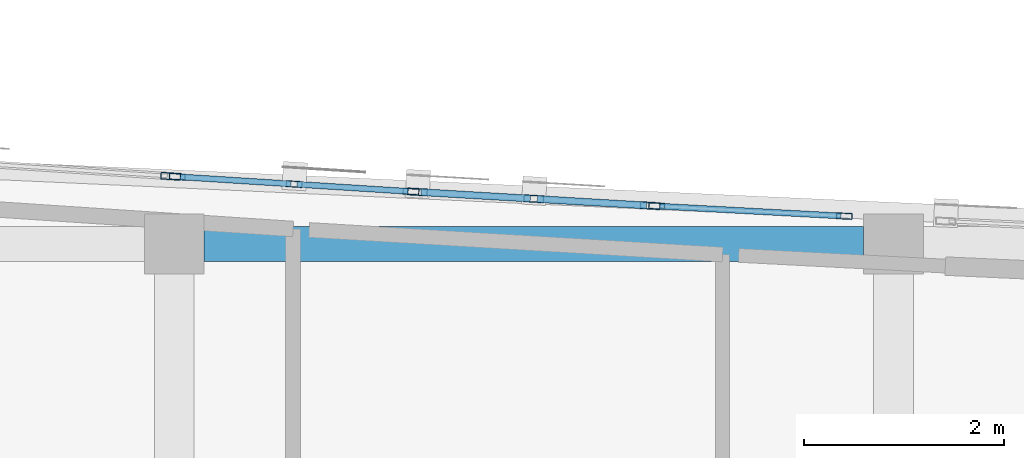
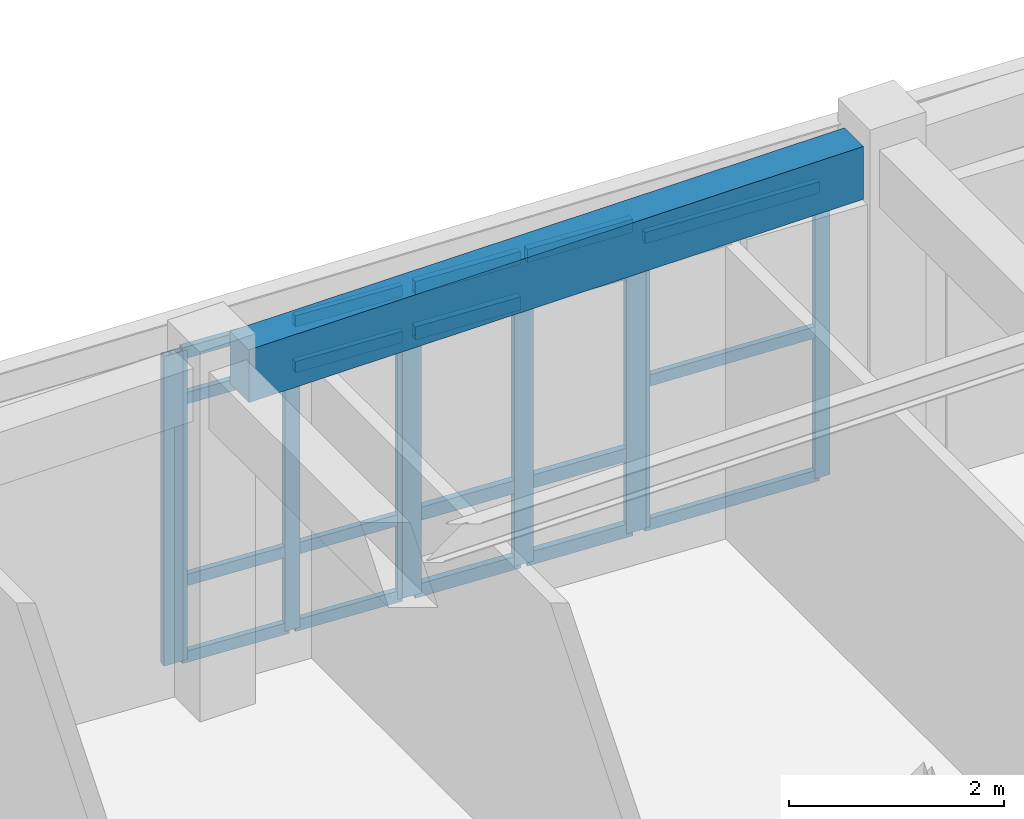
# One storey, part 62 of 113: 28 members, 1 beam, 4 elements without a shape of their own.
"""IFC4 building model written with IfcOpenShell, lengths in metres."""

from ifc_helpers import new_model, si_unit, direction, frame, origin, origin_2d, place, context, subcontext, project, spatial, rectangle, hollow_rectangle, extrude, material, layer, layer_set, material_profile, profile_set, type_object, element, aggregate, save


model = new_model("IFC4")

# Units and contexts
model_context = context("Model", 3, precision=1e-05, world=origin(), true_north=direction((0.0, 1.0)))
body_context = subcontext(model_context, "Body", "Model", "MODEL_VIEW")
ifc_project = project(units=[si_unit("LENGTHUNIT", "METRE"), si_unit("AREAUNIT", "SQUARE_METRE"), si_unit("VOLUMEUNIT", "CUBIC_METRE"), si_unit("PLANEANGLEUNIT", "RADIAN"), si_unit("MASSUNIT", "GRAM", prefix="KILO")], contexts=[model_context])

# Site, building, storey
site_placement = place(None, origin())
site = spatial("IfcSite", under=ifc_project, at=site_placement, CompositionType="ELEMENT")
building_placement = place(site_placement, origin())
building = spatial("IfcBuilding", under=site, at=building_placement, Name="Carrowvane Square Congress Hotel", CompositionType="ELEMENT")
storey_placement = place(building_placement, frame((0.0, 0.0, 15.0)))
storey = spatial("IfcBuildingStorey", under=building, at=storey_placement, Name="L03", CompositionType="ELEMENT", Elevation=15.0)

# Beam
ifc_material_1 = material(Name="Concrete C35/45", Category="concrete")
ifc_material_profile_1 = material_profile(ifc_material_1, rectangle(XDim=0.35009765625, YDim=0.60009765625, at=origin_2d()), Name="RC 350x600")
ifc_profile_set_1 = profile_set([ifc_material_profile_1], Name="Concrete C35/45")
beam_type = type_object("IfcBeamType", Name="BM-RC-350x600", PredefinedType="BEAM", material=ifc_profile_set_1)
beam_placement = place(storey_placement, frame((148.699951171875, 113.39990234375, 3.639892578125), z_axis=(1.0, 0.0, 0.0), x_axis=(0.0, 1.0, 0.0)))
element("IfcBeam", 1, at=beam_placement, inside=storey, type_object=beam_type, Name="L04 girder R/20-21", PredefinedType="BEAM", context=body_context, shape_type="SweptSolid", body=[
    extrude(rectangle(XDim=0.35009765625, YDim=0.60009765625, at=origin_2d()), origin(), (0.0, 0.0, 1.0), 6.60009765625),
])

# Curtain wall, members
ifc_material_2 = material(Name="Anodised aluminium", Category="aluminium")
ifc_layer_1 = layer(ifc_material_2, 0.23388671875)
ifc_layer_set_1 = layer_set([ifc_layer_1], Name="Anodised aluminium")
curtain_wall_type_1 = type_object("IfcCurtainWallType", Name="CW-SYS-7", PredefinedType="NOTDEFINED", material=ifc_layer_set_1)
curtain_wall_1_placement = place(storey_placement, origin())
curtain_wall_1 = element("IfcCurtainWall", 2, at=curtain_wall_1_placement, inside=storey, type_object=curtain_wall_type_1, Name="L03 unitised curtain wall 238", PredefinedType="NOTDEFINED")
ifc_material_3 = material(Name="Anodised aluminium", Category="aluminium")
ifc_material_profile_2 = material_profile(ifc_material_3, hollow_rectangle(XDim=0.06005859375, YDim=0.159912109375, WallThickness=0.00390625, at=origin_2d()), Name="CW-ML 60x160x4")
ifc_profile_set_2 = profile_set([ifc_material_profile_2], Name="Anodised aluminium")
member_type_1 = type_object("IfcMemberType", Name="CW-MUL-1", PredefinedType="MULLION", material=ifc_profile_set_2)
member_1_placement = place(storey_placement, frame((148.429931640625, 114.073486328125, 0.0), z_axis=(0.0, 0.0, 1.0), x_axis=(0.063273487972, 0.997996225303, 0.0)))
member_1 = element("IfcMember", 3, at=member_1_placement, type_object=member_type_1, Name="CW-7 mullion 1", PredefinedType="MULLION", context=body_context, shape_type="SweptSolid", body=[
    extrude(hollow_rectangle(XDim=0.06005859375, YDim=0.159912109375, WallThickness=0.00390625, at=origin_2d()), origin(), (0.0, 0.0, 1.0), 3.515625),
])
member_2_placement = place(storey_placement, frame((149.60009765625, 113.999267578125, 0.0), z_axis=(0.0, 0.0, 1.0), x_axis=(0.063273487972, 0.997996225303, 0.0)))
member_2 = element("IfcMember", 4, at=member_2_placement, type_object=member_type_1, Name="CW-7 mullion 2", PredefinedType="MULLION", context=body_context, shape_type="SweptSolid", body=[
    extrude(hollow_rectangle(XDim=0.06005859375, YDim=0.159912109375, WallThickness=0.00390625, at=origin_2d()), origin(), (0.0, 0.0, 1.0), 3.515625),
])
member_3_placement = place(storey_placement, frame((150.77001953125, 113.925048828125, 0.0), z_axis=(0.0, 0.0, 1.0), x_axis=(0.063273487972, 0.997996225303, 0.0)))
member_3 = element("IfcMember", 5, at=member_3_placement, type_object=member_type_1, Name="CW-7 mullion 3", PredefinedType="MULLION", context=body_context, shape_type="SweptSolid", body=[
    extrude(hollow_rectangle(XDim=0.06005859375, YDim=0.159912109375, WallThickness=0.00390625, at=origin_2d()), origin(), (0.0, 0.0, 1.0), 3.515625),
])

ifc_material_4 = material(Name="Anodised aluminium", Category="aluminium")
ifc_layer_2 = layer(ifc_material_4, 0.162109375)
ifc_layer_set_2 = layer_set([ifc_layer_2], Name="Anodised aluminium")
curtain_wall_type_2 = type_object("IfcCurtainWallType", Name="CW-SYS-1", PredefinedType="NOTDEFINED", material=ifc_layer_set_2)
curtain_wall_2_placement = place(storey_placement, origin())
curtain_wall_2 = element("IfcCurtainWall", 6, at=curtain_wall_2_placement, inside=storey, type_object=curtain_wall_type_2, Name="L03 unitised curtain wall 240", PredefinedType="NOTDEFINED")
member_4_placement = place(storey_placement, frame((153.22998046875, 113.77978515625, 0.0), z_axis=(0.0, 0.0, 1.0), x_axis=(0.053516203185, 0.998566981227, 0.0)))
member_4 = element("IfcMember", 7, at=member_4_placement, type_object=member_type_1, Name="CW-1 mullion 1", PredefinedType="MULLION", context=body_context, shape_type="SweptSolid", body=[
    extrude(hollow_rectangle(XDim=0.06005859375, YDim=0.159912109375, WallThickness=0.00390625, at=origin_2d()), origin(), (0.0, 0.0, 1.0), 3.324951171875),
])
member_5_placement = place(storey_placement, frame((155.10693359375, 113.67919921875, 0.0), z_axis=(0.0, 0.0, 1.0), x_axis=(0.053516203185, 0.998566981227, 0.0)))
member_5 = element("IfcMember", 8, at=member_5_placement, type_object=member_type_1, Name="CW-1 mullion 2", PredefinedType="MULLION", context=body_context, shape_type="SweptSolid", body=[
    extrude(hollow_rectangle(XDim=0.06005859375, YDim=0.159912109375, WallThickness=0.00390625, at=origin_2d()), origin(), (0.0, 0.0, 1.0), 3.324951171875),
])

# Curtain wall, member
ifc_material_5 = material(Name="Anodised aluminium", Category="aluminium")
ifc_layer_3 = layer(ifc_material_5, 0.221923828125)
ifc_layer_set_3 = layer_set([ifc_layer_3], Name="Anodised aluminium")
curtain_wall_type_3 = type_object("IfcCurtainWallType", Name="CW-SYS-6", PredefinedType="NOTDEFINED", material=ifc_layer_set_3)
curtain_wall_3_placement = place(storey_placement, origin())
curtain_wall_3 = element("IfcCurtainWall", 9, at=curtain_wall_3_placement, inside=storey, type_object=curtain_wall_type_3, Name="L03 unitised curtain wall 237", PredefinedType="NOTDEFINED")
ifc_material_6 = material(Name="Anodised aluminium", Category="aluminium")
ifc_material_profile_3 = material_profile(ifc_material_6, hollow_rectangle(XDim=0.070068359375, YDim=0.199951171875, WallThickness=0.0048828125, at=origin_2d()), Name="CW-ML 70x200x5")
ifc_profile_set_3 = profile_set([ifc_material_profile_3], Name="Anodised aluminium")
member_type_2 = type_object("IfcMemberType", Name="CW-MUL-2", PredefinedType="MULLION", material=ifc_profile_set_3)
member_6_placement = place(storey_placement, frame((148.364990234375, 114.07763671875, 0.0), z_axis=(0.0, 0.0, 1.0), x_axis=(0.06657392244, 0.997781495544, 0.0)))
member_6 = element("IfcMember", 10, at=member_6_placement, type_object=member_type_2, Name="CW-6 mullion 2", PredefinedType="MULLION", context=body_context, shape_type="SweptSolid", body=[
    extrude(hollow_rectangle(XDim=0.070068359375, YDim=0.199951171875, WallThickness=0.0048828125, at=origin_2d()), origin(), (0.0, 0.0, 1.0), 3.515625),
])
aggregate(curtain_wall_3, [member_6])

# Curtain wall, members
ifc_material_7 = material(Name="Anodised aluminium", Category="aluminium")
ifc_layer_4 = layer(ifc_material_7, 0.24609375)
ifc_layer_set_4 = layer_set([ifc_layer_4], Name="Anodised aluminium")
curtain_wall_type_4 = type_object("IfcCurtainWallType", Name="CW-SYS-8", PredefinedType="NOTDEFINED", material=ifc_layer_set_4)
curtain_wall_4_placement = place(storey_placement, origin())
curtain_wall_4 = element("IfcCurtainWall", 11, at=curtain_wall_4_placement, inside=storey, type_object=curtain_wall_type_4, Name="L03 unitised curtain wall 239", PredefinedType="NOTDEFINED")
member_7_placement = place(storey_placement, frame((150.8349609375, 113.921142578125, 0.0), z_axis=(0.0, 0.0, 1.0), x_axis=(0.058988522254, 0.99825866099, 0.0)))
member_7 = element("IfcMember", 12, at=member_7_placement, type_object=member_type_2, Name="CW-8 mullion 1", PredefinedType="MULLION", context=body_context, shape_type="SweptSolid", body=[
    extrude(hollow_rectangle(XDim=0.070068359375, YDim=0.199951171875, WallThickness=0.0048828125, at=origin_2d()), origin(), (0.0, 0.0, 1.0), 3.515625),
])
member_8_placement = place(storey_placement, frame((152.0, 113.852294921875, 0.0), z_axis=(0.0, 0.0, 1.0), x_axis=(0.058988522254, 0.99825866099, 0.0)))
member_8 = element("IfcMember", 13, at=member_8_placement, type_object=member_type_2, Name="CW-8 mullion 2", PredefinedType="MULLION", context=body_context, shape_type="SweptSolid", body=[
    extrude(hollow_rectangle(XDim=0.070068359375, YDim=0.199951171875, WallThickness=0.0048828125, at=origin_2d()), origin(), (0.0, 0.0, 1.0), 3.515625),
])
member_9_placement = place(storey_placement, frame((153.1650390625, 113.783447265625, 0.0), z_axis=(0.0, 0.0, 1.0), x_axis=(0.058988522254, 0.99825866099, 0.0)))
member_9 = element("IfcMember", 14, at=member_9_placement, type_object=member_type_2, Name="CW-8 mullion 3", PredefinedType="MULLION", context=body_context, shape_type="SweptSolid", body=[
    extrude(hollow_rectangle(XDim=0.070068359375, YDim=0.199951171875, WallThickness=0.0048828125, at=origin_2d()), origin(), (0.0, 0.0, 1.0), 3.515625),
])

# Member
ifc_material_8 = material(Name="Anodised aluminium", Category="aluminium")
ifc_material_profile_4 = material_profile(ifc_material_8, hollow_rectangle(XDim=0.06005859375, YDim=0.1298828125, WallThickness=0.00390625, at=origin_2d()), Name="CW-TR 60x130x4")
ifc_profile_set_4 = profile_set([ifc_material_profile_4], Name="Anodised aluminium")
member_type_3 = type_object("IfcMemberType", Name="CW-TRN-1", PredefinedType="USERDEFINED", material=ifc_profile_set_4)
member_10_placement = place(storey_placement, frame((148.4599609375, 114.071533203125, 0.030029296875), z_axis=(0.99800013466, -0.063211796521, 0.0), x_axis=(0.063211796521, 0.99800013466, 0.0)))
member_10 = element("IfcMember", 15, at=member_10_placement, type_object=member_type_3, Name="CW-7 transom 1.1", ObjectType="TRANSOM", PredefinedType="USERDEFINED", context=body_context, shape_type="SweptSolid", body=[
    extrude(hollow_rectangle(XDim=0.06005859375, YDim=0.1298828125, WallThickness=0.00390625, at=origin_2d()), origin(), (0.0, 0.0, 1.0), 1.1123046875),
])

member_11_placement = place(storey_placement, frame((148.4599609375, 114.071533203125, 0.89990234375), z_axis=(0.99800013466, -0.063211796521, 0.0), x_axis=(0.063211796521, 0.99800013466, 0.0)))
member_11 = element("IfcMember", 16, at=member_11_placement, type_object=member_type_3, Name="CW-7 transom 1.2", ObjectType="TRANSOM", PredefinedType="USERDEFINED", context=body_context, shape_type="SweptSolid", body=[
    extrude(hollow_rectangle(XDim=0.06005859375, YDim=0.1298828125, WallThickness=0.00390625, at=origin_2d()), origin(), (0.0, 0.0, 1.0), 1.1123046875),
])

member_12_placement = place(storey_placement, frame((148.4599609375, 114.071533203125, 2.965576171875), z_axis=(0.99800013466, -0.063211796521, 0.0), x_axis=(0.063211796521, 0.99800013466, 0.0)))
member_12 = element("IfcMember", 17, at=member_12_placement, type_object=member_type_3, Name="CW-7 transom 1.3", ObjectType="TRANSOM", PredefinedType="USERDEFINED", context=body_context, shape_type="SweptSolid", body=[
    extrude(hollow_rectangle(XDim=0.06005859375, YDim=0.1298828125, WallThickness=0.00390625, at=origin_2d()), origin(), (0.0, 0.0, 1.0), 1.1123046875),
])

member_13_placement = place(storey_placement, frame((148.4599609375, 114.071533203125, 3.485595703125), z_axis=(0.99800013466, -0.063211796521, 0.0), x_axis=(0.063211796521, 0.99800013466, 0.0)))
member_13 = element("IfcMember", 18, at=member_13_placement, type_object=member_type_3, Name="CW-7 transom 1.4", ObjectType="TRANSOM", PredefinedType="USERDEFINED", context=body_context, shape_type="SweptSolid", body=[
    extrude(hollow_rectangle(XDim=0.06005859375, YDim=0.1298828125, WallThickness=0.00390625, at=origin_2d()), origin(), (0.0, 0.0, 1.0), 1.1123046875),
])

member_14_placement = place(storey_placement, frame((149.6298828125, 113.997314453125, 0.030029296875), z_axis=(0.99800013466, -0.063211796521, 0.0), x_axis=(0.063211796521, 0.99800013466, 0.0)))
member_14 = element("IfcMember", 19, at=member_14_placement, type_object=member_type_3, Name="CW-7 transom 2.1", ObjectType="TRANSOM", PredefinedType="USERDEFINED", context=body_context, shape_type="SweptSolid", body=[
    extrude(hollow_rectangle(XDim=0.06005859375, YDim=0.1298828125, WallThickness=0.00390625, at=origin_2d()), origin(), (0.0, 0.0, 1.0), 1.1123046875),
])

member_15_placement = place(storey_placement, frame((149.6298828125, 113.997314453125, 0.89990234375), z_axis=(0.99800013466, -0.063211796521, 0.0), x_axis=(0.063211796521, 0.99800013466, 0.0)))
member_15 = element("IfcMember", 20, at=member_15_placement, type_object=member_type_3, Name="CW-7 transom 2.2", ObjectType="TRANSOM", PredefinedType="USERDEFINED", context=body_context, shape_type="SweptSolid", body=[
    extrude(hollow_rectangle(XDim=0.06005859375, YDim=0.1298828125, WallThickness=0.00390625, at=origin_2d()), origin(), (0.0, 0.0, 1.0), 1.1123046875),
])

member_16_placement = place(storey_placement, frame((149.6298828125, 113.997314453125, 2.965576171875), z_axis=(0.99800013466, -0.063211796521, 0.0), x_axis=(0.063211796521, 0.99800013466, 0.0)))
member_16 = element("IfcMember", 21, at=member_16_placement, type_object=member_type_3, Name="CW-7 transom 2.3", ObjectType="TRANSOM", PredefinedType="USERDEFINED", context=body_context, shape_type="SweptSolid", body=[
    extrude(hollow_rectangle(XDim=0.06005859375, YDim=0.1298828125, WallThickness=0.00390625, at=origin_2d()), origin(), (0.0, 0.0, 1.0), 1.1123046875),
])

member_17_placement = place(storey_placement, frame((149.6298828125, 113.997314453125, 3.485595703125), z_axis=(0.99800013466, -0.063211796521, 0.0), x_axis=(0.063211796521, 0.99800013466, 0.0)))
member_17 = element("IfcMember", 22, at=member_17_placement, type_object=member_type_3, Name="CW-7 transom 2.4", ObjectType="TRANSOM", PredefinedType="USERDEFINED", context=body_context, shape_type="SweptSolid", body=[
    extrude(hollow_rectangle(XDim=0.06005859375, YDim=0.1298828125, WallThickness=0.00390625, at=origin_2d()), origin(), (0.0, 0.0, 1.0), 1.1123046875),
])

aggregate(curtain_wall_1, [member_1, member_2, member_3, member_10, member_11, member_12, member_13, member_14, member_15, member_16, member_17])

member_18_placement = place(storey_placement, frame((153.260009765625, 113.778076171875, 0.030029296875), z_axis=(0.998565827462, -0.053537727111, 0.0), x_axis=(0.053537727111, 0.998565827462, 0.0)))
member_18 = element("IfcMember", 23, at=member_18_placement, type_object=member_type_3, Name="CW-1 transom 1.1", ObjectType="TRANSOM", PredefinedType="USERDEFINED", context=body_context, shape_type="SweptSolid", body=[
    extrude(hollow_rectangle(XDim=0.06005859375, YDim=0.1298828125, WallThickness=0.00390625, at=origin_2d()), origin(), (0.0, 0.0, 1.0), 1.819580078125),
])

member_19_placement = place(storey_placement, frame((153.260009765625, 113.778076171875, 1.66259765625), z_axis=(0.998565827462, -0.053537727111, 0.0), x_axis=(0.053537727111, 0.998565827462, 0.0)))
member_19 = element("IfcMember", 24, at=member_19_placement, type_object=member_type_3, Name="CW-1 transom 1.2", ObjectType="TRANSOM", PredefinedType="USERDEFINED", context=body_context, shape_type="SweptSolid", body=[
    extrude(hollow_rectangle(XDim=0.06005859375, YDim=0.1298828125, WallThickness=0.00390625, at=origin_2d()), origin(), (0.0, 0.0, 1.0), 1.819580078125),
])

member_20_placement = place(storey_placement, frame((153.260009765625, 113.778076171875, 3.294921875), z_axis=(0.998565827462, -0.053537727111, 0.0), x_axis=(0.053537727111, 0.998565827462, 0.0)))
member_20 = element("IfcMember", 25, at=member_20_placement, type_object=member_type_3, Name="CW-1 transom 1.3", ObjectType="TRANSOM", PredefinedType="USERDEFINED", context=body_context, shape_type="SweptSolid", body=[
    extrude(hollow_rectangle(XDim=0.06005859375, YDim=0.1298828125, WallThickness=0.00390625, at=origin_2d()), origin(), (0.0, 0.0, 1.0), 1.819580078125),
])

aggregate(curtain_wall_2, [member_4, member_5, member_18, member_19, member_20])

ifc_material_9 = material(Name="Anodised aluminium", Category="aluminium")
ifc_material_profile_5 = material_profile(ifc_material_9, hollow_rectangle(XDim=0.070068359375, YDim=0.14990234375, WallThickness=0.0048828125, at=origin_2d()), Name="CW-TR 70x150x5")
ifc_profile_set_5 = profile_set([ifc_material_profile_5], Name="Anodised aluminium")
member_type_4 = type_object("IfcMemberType", Name="CW-TRN-2", PredefinedType="USERDEFINED", material=ifc_profile_set_5)
member_21_placement = place(storey_placement, frame((150.869873046875, 113.9189453125, 0.034912109375), z_axis=(0.998259762999, -0.058969870084, 0.0), x_axis=(0.058969870084, 0.998259762999, 0.0)))
member_21 = element("IfcMember", 26, at=member_21_placement, type_object=member_type_4, Name="CW-8 transom 1.1", ObjectType="TRANSOM", PredefinedType="USERDEFINED", context=body_context, shape_type="SweptSolid", body=[
    extrude(hollow_rectangle(XDim=0.070068359375, YDim=0.14990234375, WallThickness=0.0048828125, at=origin_2d()), origin(), (0.0, 0.0, 1.0), 1.09716796875),
])

member_22_placement = place(storey_placement, frame((150.869873046875, 113.9189453125, 0.89990234375), z_axis=(0.998259762999, -0.058969870084, 0.0), x_axis=(0.058969870084, 0.998259762999, 0.0)))
member_22 = element("IfcMember", 27, at=member_22_placement, type_object=member_type_4, Name="CW-8 transom 1.2", ObjectType="TRANSOM", PredefinedType="USERDEFINED", context=body_context, shape_type="SweptSolid", body=[
    extrude(hollow_rectangle(XDim=0.070068359375, YDim=0.14990234375, WallThickness=0.0048828125, at=origin_2d()), origin(), (0.0, 0.0, 1.0), 1.09716796875),
])

member_23_placement = place(storey_placement, frame((150.869873046875, 113.9189453125, 2.965576171875), z_axis=(0.998259762999, -0.058969870084, 0.0), x_axis=(0.058969870084, 0.998259762999, 0.0)))
member_23 = element("IfcMember", 28, at=member_23_placement, type_object=member_type_4, Name="CW-8 transom 1.3", ObjectType="TRANSOM", PredefinedType="USERDEFINED", context=body_context, shape_type="SweptSolid", body=[
    extrude(hollow_rectangle(XDim=0.070068359375, YDim=0.14990234375, WallThickness=0.0048828125, at=origin_2d()), origin(), (0.0, 0.0, 1.0), 1.09716796875),
])

member_24_placement = place(storey_placement, frame((150.869873046875, 113.9189453125, 3.480712890625), z_axis=(0.998259762999, -0.058969870084, 0.0), x_axis=(0.058969870084, 0.998259762999, 0.0)))
member_24 = element("IfcMember", 29, at=member_24_placement, type_object=member_type_4, Name="CW-8 transom 1.4", ObjectType="TRANSOM", PredefinedType="USERDEFINED", context=body_context, shape_type="SweptSolid", body=[
    extrude(hollow_rectangle(XDim=0.070068359375, YDim=0.14990234375, WallThickness=0.0048828125, at=origin_2d()), origin(), (0.0, 0.0, 1.0), 1.09716796875),
])

member_25_placement = place(storey_placement, frame((152.034912109375, 113.85009765625, 0.034912109375), z_axis=(0.998259762999, -0.058969870084, 0.0), x_axis=(0.058969870084, 0.998259762999, 0.0)))
member_25 = element("IfcMember", 30, at=member_25_placement, type_object=member_type_4, Name="CW-8 transom 2.1", ObjectType="TRANSOM", PredefinedType="USERDEFINED", context=body_context, shape_type="SweptSolid", body=[
    extrude(hollow_rectangle(XDim=0.070068359375, YDim=0.14990234375, WallThickness=0.0048828125, at=origin_2d()), origin(), (0.0, 0.0, 1.0), 1.09716796875),
])

member_26_placement = place(storey_placement, frame((152.034912109375, 113.85009765625, 0.89990234375), z_axis=(0.998259762999, -0.058969870084, 0.0), x_axis=(0.058969870084, 0.998259762999, 0.0)))
member_26 = element("IfcMember", 31, at=member_26_placement, type_object=member_type_4, Name="CW-8 transom 2.2", ObjectType="TRANSOM", PredefinedType="USERDEFINED", context=body_context, shape_type="SweptSolid", body=[
    extrude(hollow_rectangle(XDim=0.070068359375, YDim=0.14990234375, WallThickness=0.0048828125, at=origin_2d()), origin(), (0.0, 0.0, 1.0), 1.09716796875),
])

member_27_placement = place(storey_placement, frame((152.034912109375, 113.85009765625, 2.965576171875), z_axis=(0.998259762999, -0.058969870084, 0.0), x_axis=(0.058969870084, 0.998259762999, 0.0)))
member_27 = element("IfcMember", 32, at=member_27_placement, type_object=member_type_4, Name="CW-8 transom 2.3", ObjectType="TRANSOM", PredefinedType="USERDEFINED", context=body_context, shape_type="SweptSolid", body=[
    extrude(hollow_rectangle(XDim=0.070068359375, YDim=0.14990234375, WallThickness=0.0048828125, at=origin_2d()), origin(), (0.0, 0.0, 1.0), 1.09716796875),
])

member_28_placement = place(storey_placement, frame((152.034912109375, 113.85009765625, 3.480712890625), z_axis=(0.998259762999, -0.058969870084, 0.0), x_axis=(0.058969870084, 0.998259762999, 0.0)))
member_28 = element("IfcMember", 33, at=member_28_placement, type_object=member_type_4, Name="CW-8 transom 2.4", ObjectType="TRANSOM", PredefinedType="USERDEFINED", context=body_context, shape_type="SweptSolid", body=[
    extrude(hollow_rectangle(XDim=0.070068359375, YDim=0.14990234375, WallThickness=0.0048828125, at=origin_2d()), origin(), (0.0, 0.0, 1.0), 1.09716796875),
])

aggregate(curtain_wall_4, [member_7, member_8, member_9, member_21, member_22, member_23, member_24, member_25, member_26, member_27, member_28])

save(model, "model.ifc")
